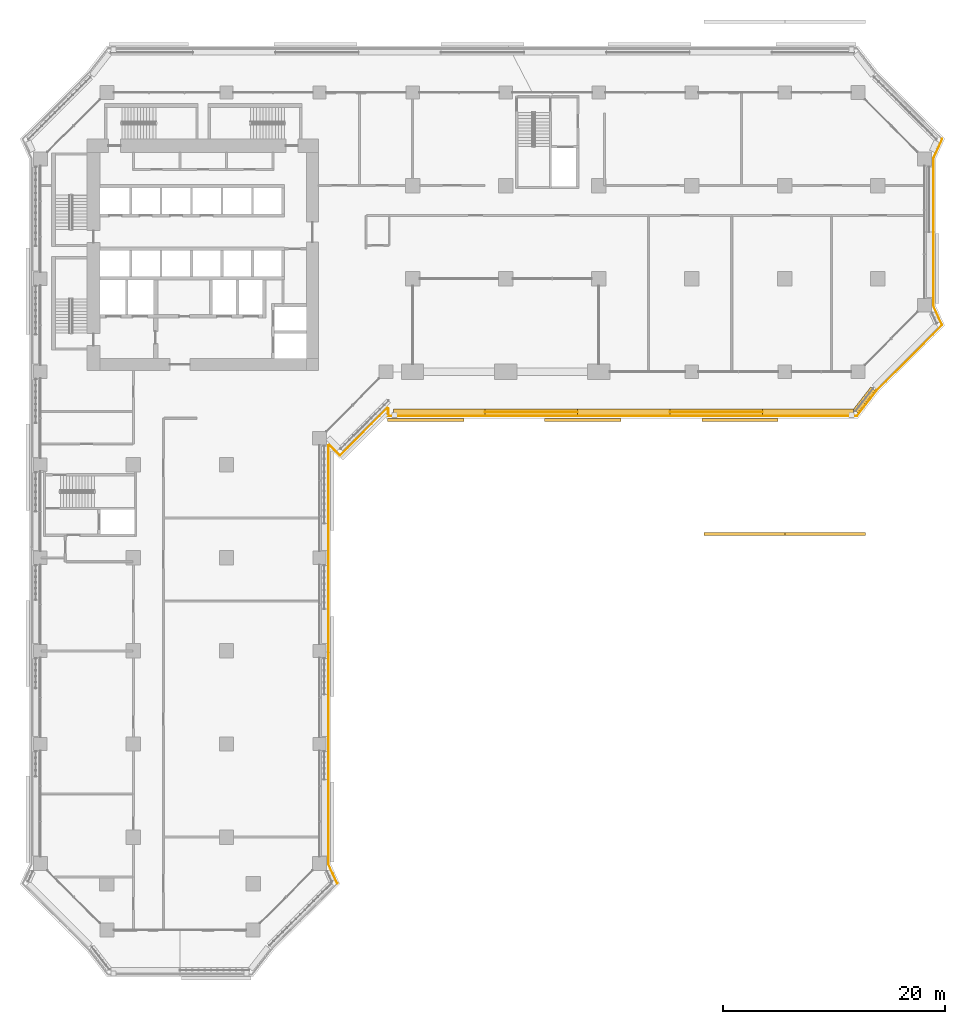
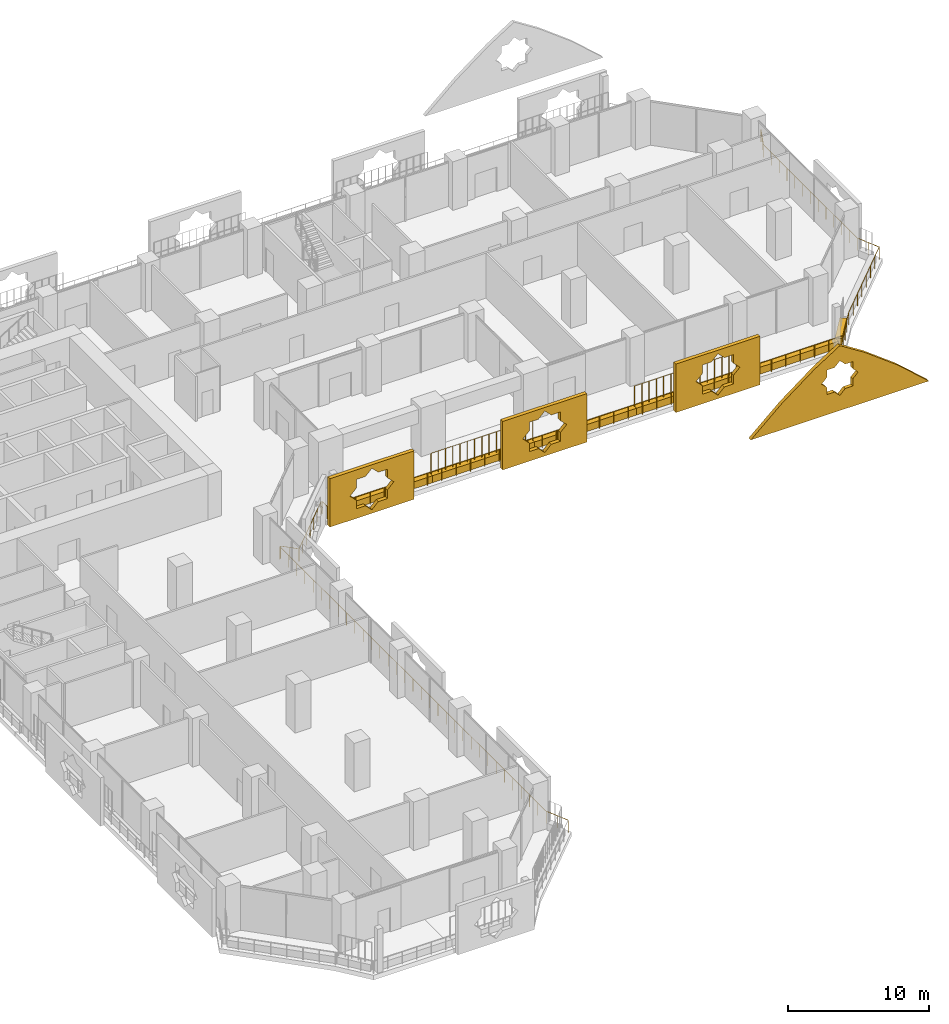
# One storey, part 23 of 27: 10 coverings, 3 railings.
"""IFC4 building model written with IfcOpenShell, lengths in metres."""

from ifc_helpers import new_model, si_unit, direction, frame, origin, origin_2d, place, context, subcontext, project, spatial, polyline, rectangle, circle, outline, extrude, material, layer, layer_set, material_profile, profile_set, type_object, element, save


model = new_model("IFC4")

# Units and contexts
model_context = context("Model", 3, precision=1e-05, world=origin(), true_north=direction((0.0, 1.0)))
body_context = subcontext(model_context, "Body", "Model", "MODEL_VIEW")
ifc_project = project(units=[si_unit("LENGTHUNIT", "METRE"), si_unit("AREAUNIT", "SQUARE_METRE"), si_unit("VOLUMEUNIT", "CUBIC_METRE"), si_unit("PLANEANGLEUNIT", "RADIAN"), si_unit("MASSUNIT", "GRAM", prefix="KILO")], contexts=[model_context])

# Site, building, storey
site_placement = place(None, origin())
site = spatial("IfcSite", under=ifc_project, at=site_placement, CompositionType="ELEMENT")
building_placement = place(site_placement, origin())
building = spatial("IfcBuilding", under=site, at=building_placement, Name="Kawkab Arch Medical Tower", CompositionType="ELEMENT")
storey_placement = place(building_placement, frame((0.0, 0.0, 39.199951171875)))
storey = spatial("IfcBuildingStorey", under=building, at=storey_placement, Name="L08", CompositionType="ELEMENT", Elevation=39.199951171875)

# Railing
ifc_material_1 = material(Name="Bronze anodised aluminium guard", Category="aluminium")
railing_type_1 = type_object("IfcRailingType", Name="Loggia and terrace guard 1100", PredefinedType="GUARDRAIL", material=ifc_material_1)
railing_1_placement = place(storey_placement, frame((81.39794921875, -4.205078125, 0.0)))
element("IfcRailing", 1, at=railing_1_placement, inside=storey, type_object=railing_type_1, Name="Guard L08.LOG-01.1.2", PredefinedType="GUARDRAIL", context=body_context, shape_type="SweptSolid", body=[
    extrude(circle(Radius=0.02392578125, at=origin_2d()), frame((0.0, 0.0, 1.076171875), z_axis=(-0.414452581809, -0.910070907914, 0.0), x_axis=(0.910070907914, -0.414452581809, 0.0)), (0.0, 0.0, 1.0), 1.925048828125),
    extrude(circle(Radius=0.02392578125, at=origin_2d()), frame((-0.7978515625, -1.751953125, 1.076171875), z_axis=(0.0, -1.0, 0.0), x_axis=(1.0, 0.0, 0.0)), (0.0, 0.0, 1.0), 13.285888671875),
    extrude(circle(Radius=0.02392578125, at=origin_2d()), frame((-0.7978515625, -15.037841796875, 1.076171875), z_axis=(0.414404752076, -0.910092688388, 0.0), x_axis=(0.910092688388, 0.414404752076, 0.0)), (0.0, 0.0, 1.0), 1.92529296875),
    extrude(circle(Radius=0.02392578125, at=origin_2d()), frame((0.0, -16.7900390625, 1.076171875), z_axis=(-0.707106781187, -0.707106781187, 0.0), x_axis=(0.707106781187, -0.707106781187, 0.0)), (0.0, 0.0, 1.0), 8.35791015625),
    extrude(circle(Radius=0.02392578125, at=origin_2d()), frame((-5.909912109375, -22.699951171875, 1.076171875), z_axis=(-0.614196313452, -0.789153273162, 0.0), x_axis=(0.789153273162, -0.614196313452, 0.0)), (0.0, 0.0, 1.0), 2.908203125),
    extrude(circle(Radius=0.02392578125, at=origin_2d()), frame((-7.696044921875, -24.994873046875, 1.076171875), z_axis=(-1.0, 0.0, 0.0), x_axis=(0.0, -1.0, 0.0)), (0.0, 0.0, 1.0), 42.302001953125),
    extrude(circle(Radius=0.02392578125, at=origin_2d()), frame((-49.998046875, -24.994873046875, 1.076171875), z_axis=(0.0, 1.0, 0.0), x_axis=(-1.0, 0.0, 0.0)), (0.0, 0.0, 1.0), 0.6728515625),
    extrude(circle(Radius=0.02392578125, at=origin_2d()), frame((-49.998046875, -24.322021484375, 1.076171875), z_axis=(-0.923431341387, 0.383763674343, 0.0), x_axis=(-0.383763674343, -0.923431341387, 0.0)), (0.0, 0.0, 1.0), 0.101806640625),
    extrude(circle(Radius=0.02392578125, at=origin_2d()), frame((-50.092041015625, -24.282958984375, 1.076171875), z_axis=(-0.707187685852, -0.707025867263, 0.0), x_axis=(0.707025867263, -0.707187685852, 0.0)), (0.0, 0.0, 1.0), 6.034912109375),
    extrude(circle(Radius=0.02392578125, at=origin_2d()), frame((-54.35986328125, -28.5498046875, 1.076171875), z_axis=(-0.707198215437, 0.707015335112, 0.0), x_axis=(-0.707015335112, -0.707198215437, 0.0)), (0.0, 0.0, 1.0), 1.3349609375),
    extrude(circle(Radius=0.02392578125, at=origin_2d()), frame((-55.303955078125, -27.60595703125, 1.076171875), z_axis=(-0.923431341387, -0.383763674343, 0.0), x_axis=(0.383763674343, -0.923431341387, 0.0)), (0.0, 0.0, 1.0), 0.101806640625),
    extrude(circle(Radius=0.02392578125, at=origin_2d()), frame((-55.39794921875, -27.64501953125, 1.076171875), z_axis=(0.0, -1.0, 0.0), x_axis=(1.0, 0.0, 0.0)), (0.0, 0.0, 1.0), 37.79296875),
    extrude(circle(Radius=0.02392578125, at=origin_2d()), frame((-55.39794921875, -65.43798828125, 1.076171875), z_axis=(0.414557610759, -0.910023069687, 0.0), x_axis=(0.910023069687, 0.414557610759, 0.0)), (0.0, 0.0, 1.0), 1.92529296875),
    extrude(circle(Radius=0.02099609375, at=origin_2d()), origin(), (0.0, 0.0, 1.0), 1.052001953125),
    extrude(circle(Radius=0.02099609375, at=origin_2d()), frame((-0.39892578125, -0.8759765625, 0.0)), (0.0, 0.0, 1.0), 1.052001953125),
    extrude(circle(Radius=0.02099609375, at=origin_2d()), frame((-0.7978515625, -1.751953125, 0.0)), (0.0, 0.0, 1.0), 1.052001953125),
    extrude(circle(Radius=0.02099609375, at=origin_2d()), frame((-0.7978515625, -2.859130859375, 0.0)), (0.0, 0.0, 1.0), 1.052001953125),
    extrude(circle(Radius=0.02099609375, at=origin_2d()), frame((-0.7978515625, -3.96630859375, 0.0)), (0.0, 0.0, 1.0), 1.052001953125),
    extrude(circle(Radius=0.02099609375, at=origin_2d()), frame((-0.7978515625, -5.073486328125, 0.0)), (0.0, 0.0, 1.0), 1.052001953125),
    extrude(circle(Radius=0.02099609375, at=origin_2d()), frame((-0.7978515625, -6.1806640625, 0.0)), (0.0, 0.0, 1.0), 1.052001953125),
    extrude(circle(Radius=0.02099609375, at=origin_2d()), frame((-0.7978515625, -7.287841796875, 0.0)), (0.0, 0.0, 1.0), 1.052001953125),
    extrude(circle(Radius=0.02099609375, at=origin_2d()), frame((-0.7978515625, -8.39501953125, 0.0)), (0.0, 0.0, 1.0), 1.052001953125),
    extrude(circle(Radius=0.02099609375, at=origin_2d()), frame((-0.7978515625, -9.501953125, 0.0)), (0.0, 0.0, 1.0), 1.052001953125),
    extrude(circle(Radius=0.02099609375, at=origin_2d()), frame((-0.7978515625, -10.609130859375, 0.0)), (0.0, 0.0, 1.0), 1.052001953125),
    extrude(circle(Radius=0.02099609375, at=origin_2d()), frame((-0.7978515625, -11.71630859375, 0.0)), (0.0, 0.0, 1.0), 1.052001953125),
    extrude(circle(Radius=0.02099609375, at=origin_2d()), frame((-0.7978515625, -12.823486328125, 0.0)), (0.0, 0.0, 1.0), 1.052001953125),
    extrude(circle(Radius=0.02099609375, at=origin_2d()), frame((-0.7978515625, -13.9306640625, 0.0)), (0.0, 0.0, 1.0), 1.052001953125),
    extrude(circle(Radius=0.02099609375, at=origin_2d()), frame((-0.7978515625, -15.037841796875, 0.0)), (0.0, 0.0, 1.0), 1.052001953125),
    extrude(circle(Radius=0.02099609375, at=origin_2d()), frame((-0.39892578125, -15.9140625, 0.0)), (0.0, 0.0, 1.0), 1.052001953125),
    extrude(circle(Radius=0.02099609375, at=origin_2d()), frame((0.0, -16.7900390625, 0.0)), (0.0, 0.0, 1.0), 1.052001953125),
    extrude(circle(Radius=0.02099609375, at=origin_2d()), frame((-0.84423828125, -17.63427734375, 0.0)), (0.0, 0.0, 1.0), 1.052001953125),
    extrude(circle(Radius=0.02099609375, at=origin_2d()), frame((-1.6884765625, -18.478515625, 0.0)), (0.0, 0.0, 1.0), 1.052001953125),
    extrude(circle(Radius=0.02099609375, at=origin_2d()), frame((-2.53271484375, -19.32275390625, 0.0)), (0.0, 0.0, 1.0), 1.052001953125),
    extrude(circle(Radius=0.02099609375, at=origin_2d()), frame((-3.377197265625, -20.167236328125, 0.0)), (0.0, 0.0, 1.0), 1.052001953125),
    extrude(circle(Radius=0.02099609375, at=origin_2d()), frame((-4.221435546875, -21.011474609375, 0.0)), (0.0, 0.0, 1.0), 1.052001953125),
    extrude(circle(Radius=0.02099609375, at=origin_2d()), frame((-5.065673828125, -21.855712890625, 0.0)), (0.0, 0.0, 1.0), 1.052001953125),
    extrude(circle(Radius=0.02099609375, at=origin_2d()), frame((-5.909912109375, -22.699951171875, 0.0)), (0.0, 0.0, 1.0), 1.052001953125),
    extrude(circle(Radius=0.02099609375, at=origin_2d()), frame((-6.50537109375, -23.46484375, 0.0)), (0.0, 0.0, 1.0), 1.052001953125),
    extrude(circle(Radius=0.02099609375, at=origin_2d()), frame((-7.1005859375, -24.22998046875, 0.0)), (0.0, 0.0, 1.0), 1.052001953125),
    extrude(circle(Radius=0.02099609375, at=origin_2d()), frame((-7.696044921875, -24.994873046875, 0.0)), (0.0, 0.0, 1.0), 1.052001953125),
    extrude(circle(Radius=0.02099609375, at=origin_2d()), frame((-8.87109375, -24.994873046875, 0.0)), (0.0, 0.0, 1.0), 1.052001953125),
    extrude(circle(Radius=0.02099609375, at=origin_2d()), frame((-10.046142578125, -24.994873046875, 0.0)), (0.0, 0.0, 1.0), 1.052001953125),
    extrude(circle(Radius=0.02099609375, at=origin_2d()), frame((-11.22119140625, -24.994873046875, 0.0)), (0.0, 0.0, 1.0), 1.052001953125),
    extrude(circle(Radius=0.02099609375, at=origin_2d()), frame((-12.396240234375, -24.994873046875, 0.0)), (0.0, 0.0, 1.0), 1.052001953125),
    extrude(circle(Radius=0.02099609375, at=origin_2d()), frame((-13.5712890625, -24.994873046875, 0.0)), (0.0, 0.0, 1.0), 1.052001953125),
    extrude(circle(Radius=0.02099609375, at=origin_2d()), frame((-14.746337890625, -24.994873046875, 0.0)), (0.0, 0.0, 1.0), 1.052001953125),
    extrude(circle(Radius=0.02099609375, at=origin_2d()), frame((-15.92138671875, -24.994873046875, 0.0)), (0.0, 0.0, 1.0), 1.052001953125),
    extrude(circle(Radius=0.02099609375, at=origin_2d()), frame((-17.096435546875, -24.994873046875, 0.0)), (0.0, 0.0, 1.0), 1.052001953125),
    extrude(circle(Radius=0.02099609375, at=origin_2d()), frame((-18.271484375, -24.994873046875, 0.0)), (0.0, 0.0, 1.0), 1.052001953125),
    extrude(circle(Radius=0.02099609375, at=origin_2d()), frame((-19.446533203125, -24.994873046875, 0.0)), (0.0, 0.0, 1.0), 1.052001953125),
    extrude(circle(Radius=0.02099609375, at=origin_2d()), frame((-20.62158203125, -24.994873046875, 0.0)), (0.0, 0.0, 1.0), 1.052001953125),
    extrude(circle(Radius=0.02099609375, at=origin_2d()), frame((-21.796630859375, -24.994873046875, 0.0)), (0.0, 0.0, 1.0), 1.052001953125),
    extrude(circle(Radius=0.02099609375, at=origin_2d()), frame((-22.9716796875, -24.994873046875, 0.0)), (0.0, 0.0, 1.0), 1.052001953125),
    extrude(circle(Radius=0.02099609375, at=origin_2d()), frame((-24.146728515625, -24.994873046875, 0.0)), (0.0, 0.0, 1.0), 1.052001953125),
    extrude(circle(Radius=0.02099609375, at=origin_2d()), frame((-25.32177734375, -24.994873046875, 0.0)), (0.0, 0.0, 1.0), 1.052001953125),
    extrude(circle(Radius=0.02099609375, at=origin_2d()), frame((-26.496826171875, -24.994873046875, 0.0)), (0.0, 0.0, 1.0), 1.052001953125),
    extrude(circle(Radius=0.02099609375, at=origin_2d()), frame((-27.671875, -24.994873046875, 0.0)), (0.0, 0.0, 1.0), 1.052001953125),
    extrude(circle(Radius=0.02099609375, at=origin_2d()), frame((-28.84716796875, -24.994873046875, 0.0)), (0.0, 0.0, 1.0), 1.052001953125),
    extrude(circle(Radius=0.02099609375, at=origin_2d()), frame((-30.022216796875, -24.994873046875, 0.0)), (0.0, 0.0, 1.0), 1.052001953125),
    extrude(circle(Radius=0.02099609375, at=origin_2d()), frame((-31.197265625, -24.994873046875, 0.0)), (0.0, 0.0, 1.0), 1.052001953125),
    extrude(circle(Radius=0.02099609375, at=origin_2d()), frame((-32.372314453125, -24.994873046875, 0.0)), (0.0, 0.0, 1.0), 1.052001953125),
    extrude(circle(Radius=0.02099609375, at=origin_2d()), frame((-33.54736328125, -24.994873046875, 0.0)), (0.0, 0.0, 1.0), 1.052001953125),
    extrude(circle(Radius=0.02099609375, at=origin_2d()), frame((-34.722412109375, -24.994873046875, 0.0)), (0.0, 0.0, 1.0), 1.052001953125),
    extrude(circle(Radius=0.02099609375, at=origin_2d()), frame((-35.8974609375, -24.994873046875, 0.0)), (0.0, 0.0, 1.0), 1.052001953125),
    extrude(circle(Radius=0.02099609375, at=origin_2d()), frame((-37.072509765625, -24.994873046875, 0.0)), (0.0, 0.0, 1.0), 1.052001953125),
    extrude(circle(Radius=0.02099609375, at=origin_2d()), frame((-38.24755859375, -24.994873046875, 0.0)), (0.0, 0.0, 1.0), 1.052001953125),
    extrude(circle(Radius=0.02099609375, at=origin_2d()), frame((-39.422607421875, -24.994873046875, 0.0)), (0.0, 0.0, 1.0), 1.052001953125),
    extrude(circle(Radius=0.02099609375, at=origin_2d()), frame((-40.59765625, -24.994873046875, 0.0)), (0.0, 0.0, 1.0), 1.052001953125),
    extrude(circle(Radius=0.02099609375, at=origin_2d()), frame((-41.772705078125, -24.994873046875, 0.0)), (0.0, 0.0, 1.0), 1.052001953125),
    extrude(circle(Radius=0.02099609375, at=origin_2d()), frame((-42.94775390625, -24.994873046875, 0.0)), (0.0, 0.0, 1.0), 1.052001953125),
    extrude(circle(Radius=0.02099609375, at=origin_2d()), frame((-44.122802734375, -24.994873046875, 0.0)), (0.0, 0.0, 1.0), 1.052001953125),
    extrude(circle(Radius=0.02099609375, at=origin_2d()), frame((-45.2978515625, -24.994873046875, 0.0)), (0.0, 0.0, 1.0), 1.052001953125),
    extrude(circle(Radius=0.02099609375, at=origin_2d()), frame((-46.472900390625, -24.994873046875, 0.0)), (0.0, 0.0, 1.0), 1.052001953125),
    extrude(circle(Radius=0.02099609375, at=origin_2d()), frame((-47.64794921875, -24.994873046875, 0.0)), (0.0, 0.0, 1.0), 1.052001953125),
    extrude(circle(Radius=0.02099609375, at=origin_2d()), frame((-48.822998046875, -24.994873046875, 0.0)), (0.0, 0.0, 1.0), 1.052001953125),
    extrude(circle(Radius=0.02099609375, at=origin_2d()), frame((-49.998046875, -24.994873046875, 0.0)), (0.0, 0.0, 1.0), 1.052001953125),
    extrude(circle(Radius=0.02099609375, at=origin_2d()), frame((-49.998046875, -24.322021484375, 0.0)), (0.0, 0.0, 1.0), 1.052001953125),
    extrude(circle(Radius=0.02099609375, at=origin_2d()), frame((-50.092041015625, -24.282958984375, 0.0)), (0.0, 0.0, 1.0), 1.052001953125),
    extrude(circle(Radius=0.02099609375, at=origin_2d()), frame((-50.80322265625, -24.994140625, 0.0)), (0.0, 0.0, 1.0), 1.052001953125),
    extrude(circle(Radius=0.02099609375, at=origin_2d()), frame((-51.5146484375, -25.705322265625, 0.0)), (0.0, 0.0, 1.0), 1.052001953125),
    extrude(circle(Radius=0.02099609375, at=origin_2d()), frame((-52.22607421875, -26.41650390625, 0.0)), (0.0, 0.0, 1.0), 1.052001953125),
    extrude(circle(Radius=0.02099609375, at=origin_2d()), frame((-52.937255859375, -27.12744140625, 0.0)), (0.0, 0.0, 1.0), 1.052001953125),
    extrude(circle(Radius=0.02099609375, at=origin_2d()), frame((-53.6484375, -27.838623046875, 0.0)), (0.0, 0.0, 1.0), 1.052001953125),
    extrude(circle(Radius=0.02099609375, at=origin_2d()), frame((-54.35986328125, -28.5498046875, 0.0)), (0.0, 0.0, 1.0), 1.052001953125),
    extrude(circle(Radius=0.02099609375, at=origin_2d()), frame((-54.83203125, -28.077880859375, 0.0)), (0.0, 0.0, 1.0), 1.052001953125),
    extrude(circle(Radius=0.02099609375, at=origin_2d()), frame((-55.303955078125, -27.60595703125, 0.0)), (0.0, 0.0, 1.0), 1.052001953125),
    extrude(circle(Radius=0.02099609375, at=origin_2d()), frame((-55.39794921875, -27.64501953125, 0.0)), (0.0, 0.0, 1.0), 1.052001953125),
    extrude(circle(Radius=0.02099609375, at=origin_2d()), frame((-55.39794921875, -28.826171875, 0.0)), (0.0, 0.0, 1.0), 1.052001953125),
    extrude(circle(Radius=0.02099609375, at=origin_2d()), frame((-55.39794921875, -30.007080078125, 0.0)), (0.0, 0.0, 1.0), 1.052001953125),
    extrude(circle(Radius=0.02099609375, at=origin_2d()), frame((-55.39794921875, -31.18798828125, 0.0)), (0.0, 0.0, 1.0), 1.052001953125),
    extrude(circle(Radius=0.02099609375, at=origin_2d()), frame((-55.39794921875, -32.369140625, 0.0)), (0.0, 0.0, 1.0), 1.052001953125),
    extrude(circle(Radius=0.02099609375, at=origin_2d()), frame((-55.39794921875, -33.55029296875, 0.0)), (0.0, 0.0, 1.0), 1.052001953125),
    extrude(circle(Radius=0.02099609375, at=origin_2d()), frame((-55.39794921875, -34.731201171875, 0.0)), (0.0, 0.0, 1.0), 1.052001953125),
    extrude(circle(Radius=0.02099609375, at=origin_2d()), frame((-55.39794921875, -35.912109375, 0.0)), (0.0, 0.0, 1.0), 1.052001953125),
    extrude(circle(Radius=0.02099609375, at=origin_2d()), frame((-55.39794921875, -37.09326171875, 0.0)), (0.0, 0.0, 1.0), 1.052001953125),
    extrude(circle(Radius=0.02099609375, at=origin_2d()), frame((-55.39794921875, -38.2744140625, 0.0)), (0.0, 0.0, 1.0), 1.052001953125),
    extrude(circle(Radius=0.02099609375, at=origin_2d()), frame((-55.39794921875, -39.455322265625, 0.0)), (0.0, 0.0, 1.0), 1.052001953125),
    extrude(circle(Radius=0.02099609375, at=origin_2d()), frame((-55.39794921875, -40.63623046875, 0.0)), (0.0, 0.0, 1.0), 1.052001953125),
    extrude(circle(Radius=0.02099609375, at=origin_2d()), frame((-55.39794921875, -41.8173828125, 0.0)), (0.0, 0.0, 1.0), 1.052001953125),
    extrude(circle(Radius=0.02099609375, at=origin_2d()), frame((-55.39794921875, -42.99853515625, 0.0)), (0.0, 0.0, 1.0), 1.052001953125),
    extrude(circle(Radius=0.02099609375, at=origin_2d()), frame((-55.39794921875, -44.179443359375, 0.0)), (0.0, 0.0, 1.0), 1.052001953125),
    extrude(circle(Radius=0.02099609375, at=origin_2d()), frame((-55.39794921875, -45.3603515625, 0.0)), (0.0, 0.0, 1.0), 1.052001953125),
    extrude(circle(Radius=0.02099609375, at=origin_2d()), frame((-55.39794921875, -46.54150390625, 0.0)), (0.0, 0.0, 1.0), 1.052001953125),
    extrude(circle(Radius=0.02099609375, at=origin_2d()), frame((-55.39794921875, -47.72265625, 0.0)), (0.0, 0.0, 1.0), 1.052001953125),
    extrude(circle(Radius=0.02099609375, at=origin_2d()), frame((-55.39794921875, -48.903564453125, 0.0)), (0.0, 0.0, 1.0), 1.052001953125),
    extrude(circle(Radius=0.02099609375, at=origin_2d()), frame((-55.39794921875, -50.08447265625, 0.0)), (0.0, 0.0, 1.0), 1.052001953125),
    extrude(circle(Radius=0.02099609375, at=origin_2d()), frame((-55.39794921875, -51.265625, 0.0)), (0.0, 0.0, 1.0), 1.052001953125),
    extrude(circle(Radius=0.02099609375, at=origin_2d()), frame((-55.39794921875, -52.44677734375, 0.0)), (0.0, 0.0, 1.0), 1.052001953125),
    extrude(circle(Radius=0.02099609375, at=origin_2d()), frame((-55.39794921875, -53.627685546875, 0.0)), (0.0, 0.0, 1.0), 1.052001953125),
    extrude(circle(Radius=0.02099609375, at=origin_2d()), frame((-55.39794921875, -54.80859375, 0.0)), (0.0, 0.0, 1.0), 1.052001953125),
    extrude(circle(Radius=0.02099609375, at=origin_2d()), frame((-55.39794921875, -55.98974609375, 0.0)), (0.0, 0.0, 1.0), 1.052001953125),
    extrude(circle(Radius=0.02099609375, at=origin_2d()), frame((-55.39794921875, -57.1708984375, 0.0)), (0.0, 0.0, 1.0), 1.052001953125),
    extrude(circle(Radius=0.02099609375, at=origin_2d()), frame((-55.39794921875, -58.351806640625, 0.0)), (0.0, 0.0, 1.0), 1.052001953125),
    extrude(circle(Radius=0.02099609375, at=origin_2d()), frame((-55.39794921875, -59.53271484375, 0.0)), (0.0, 0.0, 1.0), 1.052001953125),
    extrude(circle(Radius=0.02099609375, at=origin_2d()), frame((-55.39794921875, -60.7138671875, 0.0)), (0.0, 0.0, 1.0), 1.052001953125),
    extrude(circle(Radius=0.02099609375, at=origin_2d()), frame((-55.39794921875, -61.89501953125, 0.0)), (0.0, 0.0, 1.0), 1.052001953125),
    extrude(circle(Radius=0.02099609375, at=origin_2d()), frame((-55.39794921875, -63.075927734375, 0.0)), (0.0, 0.0, 1.0), 1.052001953125),
    extrude(circle(Radius=0.02099609375, at=origin_2d()), frame((-55.39794921875, -64.2568359375, 0.0)), (0.0, 0.0, 1.0), 1.052001953125),
    extrude(circle(Radius=0.02099609375, at=origin_2d()), frame((-55.39794921875, -65.43798828125, 0.0)), (0.0, 0.0, 1.0), 1.052001953125),
    extrude(circle(Radius=0.02099609375, at=origin_2d()), frame((-54.9990234375, -66.31396484375, 0.0)), (0.0, 0.0, 1.0), 1.052001953125),
    extrude(circle(Radius=0.02099609375, at=origin_2d()), frame((-54.599853515625, -67.18994140625, 0.0)), (0.0, 0.0, 1.0), 1.052001953125),
])

# Coverings
ifc_material_2 = material(Name="Bronze anodised aluminium mashrabiya panel, eight-point star pattern", Category="aluminium")
ifc_material_profile_1 = material_profile(ifc_material_2, outline(polyline([(-3.449951171875, -2.10009765625), (3.449951171875, -2.10009765625), (3.449951171875, 2.10009765625), (-3.449951171875, 2.10009765625), (-3.449951171875, -2.10009765625)]), holes=[polyline([(1.800048828125, 0.0), (1.272705078125, 0.527099609375), (1.272705078125, 1.272705078125), (0.527099609375, 1.272705078125), (0.0, 1.800048828125), (-0.527099609375, 1.272705078125), (-1.272705078125, 1.272705078125), (-1.272705078125, 0.527099609375), (-1.800048828125, 0.0), (-1.272705078125, -0.527099609375), (-1.272705078125, -1.272705078125), (-0.527099609375, -1.272705078125), (0.0, -1.800048828125), (0.527099609375, -1.272705078125), (1.272705078125, -1.272705078125), (1.272705078125, -0.527099609375), (1.800048828125, 0.0)])]), Name="Mashrabiya panel 6900x4200")
ifc_profile_set_1 = profile_set([ifc_material_profile_1], Name="Bronze anodised aluminium mashrabiya panel, eight-point star pattern")
covering_type_1 = type_object("IfcCoveringType", Name="Mashrabiya panel 6900 x 4200", PredefinedType="USERDEFINED", material=ifc_profile_set_1)
for number, where, z_axis, x_axis, name in (
    (2, (63.148681640625, -29.39990234375, 1.699951171875), (0.0, -1.0, 0.0), (1.0, 0.0, 0.0), "Mashrabiya panel L08.LOG-01-01.12"),
    (3, (48.953857421875, -29.39990234375, 1.699951171875), (0.0, -1.0, 0.0), (1.0, 0.0, 0.0), "Mashrabiya panel L08.LOG-01-01.13"),
    (4, (34.77880859375, -29.39990234375, 1.699951171875), (0.0, -1.0, 0.0), (1.0, 0.0, 0.0), "Mashrabiya panel L08.LOG-01-01.14"),
):
    element("IfcCovering", number, at=place(storey_placement, frame(where, z_axis=z_axis, x_axis=x_axis)), inside=storey, type_object=covering_type_1, Name=name, ObjectType="SCREEN", PredefinedType="USERDEFINED", context=body_context, shape_type="SweptSolid", body=[
        extrude(outline(polyline([(-3.449951171875, -2.10009765625), (3.449951171875, -2.10009765625), (3.449951171875, 2.10009765625), (-3.449951171875, 2.10009765625), (-3.449951171875, -2.10009765625)]), holes=[polyline([(1.800048828125, 0.0), (1.272705078125, 0.527099609375), (1.272705078125, 1.272705078125), (0.527099609375, 1.272705078125), (0.0, 1.800048828125), (-0.527099609375, 1.272705078125), (-1.272705078125, 1.272705078125), (-1.272705078125, 0.527099609375), (-1.800048828125, 0.0), (-1.272705078125, -0.527099609375), (-1.272705078125, -1.272705078125), (-0.527099609375, -1.272705078125), (0.0, -1.800048828125), (0.527099609375, -1.272705078125), (1.272705078125, -1.272705078125), (1.272705078125, -0.527099609375), (1.800048828125, 0.0)])]), origin(), (0.0, 0.0, 1.0), 0.300048828125),
    ])
ifc_material_3 = material(Name="Planting soil in a precast trough", Category="concrete")
ifc_material_profile_2 = material_profile(ifc_material_3, rectangle(XDim=0.5, YDim=0.60009765625, at=origin_2d()), Name="Trough 500x600")
ifc_profile_set_2 = profile_set([ifc_material_profile_2], Name="Planting soil in a precast trough")
covering_type_2 = type_object("IfcCoveringType", Name="Planter trough 500 x 600", PredefinedType="USERDEFINED", material=ifc_profile_set_2)
covering_1_placement = place(storey_placement, frame((75.14111328125, -26.73193359375, 0.300048828125), z_axis=(-0.614099956103, -0.789228258436, 0.0), x_axis=(0.789228258436, -0.614099956103, 0.0)))
element("IfcCovering", 5, at=covering_1_placement, inside=storey, type_object=covering_type_2, Name="Planter L08.LOG-01-01.41", ObjectType="PLANTER", PredefinedType="USERDEFINED", context=body_context, shape_type="SweptSolid", body=[
    extrude(rectangle(XDim=0.5, YDim=0.60009765625, at=origin_2d()), origin(), (0.0, 0.0, 1.0), 2.545654296875),
])
covering_2_placement = place(storey_placement, frame((73.416015625, -28.820068359375, 0.300048828125), z_axis=(-1.0, 0.0, 0.0), x_axis=(0.0, -1.0, 0.0)))
element("IfcCovering", 6, at=covering_2_placement, inside=storey, type_object=covering_type_2, Name="Planter L08.LOG-01-01.42", ObjectType="PLANTER", PredefinedType="USERDEFINED", context=body_context, shape_type="SweptSolid", body=[
    extrude(rectangle(XDim=0.5, YDim=0.60009765625, at=origin_2d()), origin(), (0.0, 0.0, 1.0), 8.2470703125),
])
for number, where, z_axis, x_axis, name in (
    (7, (65.1689453125, -28.820068359375, 0.300048828125), (-1.0, 0.0, 0.0), (0.0, -1.0, 0.0), "Planter L08.LOG-01-01.43"),
    (8, (56.822021484375, -28.820068359375, 0.300048828125), (-1.0, 0.0, 0.0), (0.0, -1.0, 0.0), "Planter L08.LOG-01-01.44"),
):
    element("IfcCovering", number, at=place(storey_placement, frame(where, z_axis=z_axis, x_axis=x_axis)), inside=storey, type_object=covering_type_2, Name=name, ObjectType="PLANTER", PredefinedType="USERDEFINED", context=body_context, shape_type="SweptSolid", body=[
        extrude(rectangle(XDim=0.5, YDim=0.60009765625, at=origin_2d()), origin(), (0.0, 0.0, 1.0), 8.346923828125),
    ])
covering_3_placement = place(storey_placement, frame((48.47509765625, -28.820068359375, 0.300048828125), z_axis=(-1.0, 0.0, 0.0), x_axis=(0.0, -1.0, 0.0)))
element("IfcCovering", 9, at=covering_3_placement, inside=storey, type_object=covering_type_2, Name="Planter L08.LOG-01-01.45", ObjectType="PLANTER", PredefinedType="USERDEFINED", context=body_context, shape_type="SweptSolid", body=[
    extrude(rectangle(XDim=0.5, YDim=0.60009765625, at=origin_2d()), origin(), (0.0, 0.0, 1.0), 8.34814453125),
])
covering_4_placement = place(storey_placement, frame((40.126953125, -28.820068359375, 0.300048828125), z_axis=(-1.0, 0.0, 0.0), x_axis=(0.0, -1.0, 0.0)))
element("IfcCovering", 10, at=covering_4_placement, inside=storey, type_object=covering_type_2, Name="Planter L08.LOG-01-01.46", ObjectType="PLANTER", PredefinedType="USERDEFINED", context=body_context, shape_type="SweptSolid", body=[
    extrude(rectangle(XDim=0.5, YDim=0.60009765625, at=origin_2d()), origin(), (0.0, 0.0, 1.0), 8.2470703125),
])

# Railings
ifc_material_4 = material(Name="Bronze anodised aluminium trellis for climbing plants", Category="aluminium")
railing_type_2 = type_object("IfcRailingType", Name="Planting trellis 2400", PredefinedType="USERDEFINED", material=ifc_material_4)
railing_2_placement = place(storey_placement, frame((65.1689453125, -28.820068359375, 0.0)))
element("IfcRailing", 11, at=railing_2_placement, inside=storey, type_object=railing_type_2, Name="Planting trellis L08.LOG-01-01.43", ObjectType="TRELLIS", PredefinedType="USERDEFINED", context=body_context, shape_type="SweptSolid", body=[
    extrude(circle(Radius=0.01513671875, at=origin_2d()), frame((0.0, 0.0, 2.384765625), z_axis=(-1.0, 0.0, 0.0), x_axis=(0.0, -1.0, 0.0)), (0.0, 0.0, 1.0), 8.346923828125),
    extrude(circle(Radius=0.030029296875, at=origin_2d()), origin(), (0.0, 0.0, 1.0), 2.369873046875),
    extrude(circle(Radius=0.030029296875, at=origin_2d()), frame((-0.59619140625, 0.0, 0.0)), (0.0, 0.0, 1.0), 2.369873046875),
    extrude(circle(Radius=0.030029296875, at=origin_2d()), frame((-1.1923828125, 0.0, 0.0)), (0.0, 0.0, 1.0), 2.369873046875),
    extrude(circle(Radius=0.030029296875, at=origin_2d()), frame((-1.78857421875, 0.0, 0.0)), (0.0, 0.0, 1.0), 2.369873046875),
    extrude(circle(Radius=0.030029296875, at=origin_2d()), frame((-2.384765625, 0.0, 0.0)), (0.0, 0.0, 1.0), 2.369873046875),
    extrude(circle(Radius=0.030029296875, at=origin_2d()), frame((-2.98095703125, 0.0, 0.0)), (0.0, 0.0, 1.0), 2.369873046875),
    extrude(circle(Radius=0.030029296875, at=origin_2d()), frame((-3.5771484375, 0.0, 0.0)), (0.0, 0.0, 1.0), 2.369873046875),
    extrude(circle(Radius=0.030029296875, at=origin_2d()), frame((-4.17333984375, 0.0, 0.0)), (0.0, 0.0, 1.0), 2.369873046875),
    extrude(circle(Radius=0.030029296875, at=origin_2d()), frame((-4.769775390625, 0.0, 0.0)), (0.0, 0.0, 1.0), 2.369873046875),
    extrude(circle(Radius=0.030029296875, at=origin_2d()), frame((-5.365966796875, 0.0, 0.0)), (0.0, 0.0, 1.0), 2.369873046875),
    extrude(circle(Radius=0.030029296875, at=origin_2d()), frame((-5.962158203125, 0.0, 0.0)), (0.0, 0.0, 1.0), 2.369873046875),
    extrude(circle(Radius=0.030029296875, at=origin_2d()), frame((-6.558349609375, 0.0, 0.0)), (0.0, 0.0, 1.0), 2.369873046875),
    extrude(circle(Radius=0.030029296875, at=origin_2d()), frame((-7.154541015625, 0.0, 0.0)), (0.0, 0.0, 1.0), 2.369873046875),
    extrude(circle(Radius=0.030029296875, at=origin_2d()), frame((-7.750732421875, 0.0, 0.0)), (0.0, 0.0, 1.0), 2.369873046875),
    extrude(circle(Radius=0.030029296875, at=origin_2d()), frame((-8.346923828125, 0.0, 0.0)), (0.0, 0.0, 1.0), 2.369873046875),
])
railing_3_placement = place(storey_placement, frame((48.47509765625, -28.820068359375, 0.0)))
element("IfcRailing", 12, at=railing_3_placement, inside=storey, type_object=railing_type_2, Name="Planting trellis L08.LOG-01-01.45", ObjectType="TRELLIS", PredefinedType="USERDEFINED", context=body_context, shape_type="SweptSolid", body=[
    extrude(circle(Radius=0.01513671875, at=origin_2d()), frame((0.0, 0.0, 2.384765625), z_axis=(-1.0, 0.0, 0.0), x_axis=(0.0, -1.0, 0.0)), (0.0, 0.0, 1.0), 8.34814453125),
    extrude(circle(Radius=0.030029296875, at=origin_2d()), origin(), (0.0, 0.0, 1.0), 2.369873046875),
    extrude(circle(Radius=0.030029296875, at=origin_2d()), frame((-0.59619140625, 0.0, 0.0)), (0.0, 0.0, 1.0), 2.369873046875),
    extrude(circle(Radius=0.030029296875, at=origin_2d()), frame((-1.192626953125, 0.0, 0.0)), (0.0, 0.0, 1.0), 2.369873046875),
    extrude(circle(Radius=0.030029296875, at=origin_2d()), frame((-1.788818359375, 0.0, 0.0)), (0.0, 0.0, 1.0), 2.369873046875),
    extrude(circle(Radius=0.030029296875, at=origin_2d()), frame((-2.38525390625, 0.0, 0.0)), (0.0, 0.0, 1.0), 2.369873046875),
    extrude(circle(Radius=0.030029296875, at=origin_2d()), frame((-2.9814453125, 0.0, 0.0)), (0.0, 0.0, 1.0), 2.369873046875),
    extrude(circle(Radius=0.030029296875, at=origin_2d()), frame((-3.577880859375, 0.0, 0.0)), (0.0, 0.0, 1.0), 2.369873046875),
    extrude(circle(Radius=0.030029296875, at=origin_2d()), frame((-4.174072265625, 0.0, 0.0)), (0.0, 0.0, 1.0), 2.369873046875),
    extrude(circle(Radius=0.030029296875, at=origin_2d()), frame((-4.770263671875, 0.0, 0.0)), (0.0, 0.0, 1.0), 2.369873046875),
    extrude(circle(Radius=0.030029296875, at=origin_2d()), frame((-5.36669921875, 0.0, 0.0)), (0.0, 0.0, 1.0), 2.369873046875),
    extrude(circle(Radius=0.030029296875, at=origin_2d()), frame((-5.962890625, 0.0, 0.0)), (0.0, 0.0, 1.0), 2.369873046875),
    extrude(circle(Radius=0.030029296875, at=origin_2d()), frame((-6.559326171875, 0.0, 0.0)), (0.0, 0.0, 1.0), 2.369873046875),
    extrude(circle(Radius=0.030029296875, at=origin_2d()), frame((-7.155517578125, 0.0, 0.0)), (0.0, 0.0, 1.0), 2.369873046875),
    extrude(circle(Radius=0.030029296875, at=origin_2d()), frame((-7.751953125, 0.0, 0.0)), (0.0, 0.0, 1.0), 2.369873046875),
    extrude(circle(Radius=0.030029296875, at=origin_2d()), frame((-8.34814453125, 0.0, 0.0)), (0.0, 0.0, 1.0), 2.369873046875),
])

# Covering
ifc_material_5 = material(Name="Perforated bronze anodised aluminium, eight-point star pattern", Category="aluminium")
ifc_layer = layer(ifc_material_5, 0.300048828125)
ifc_layer_set = layer_set([ifc_layer], Name="Perforated bronze anodised aluminium, eight-point star pattern")
covering_type_3 = type_object("IfcCoveringType", Name="Spandrel star screen 300", PredefinedType="USERDEFINED", material=ifc_layer_set)
covering_5_placement = place(storey_placement, frame((0.0, -39.699951171875, -39.199951171875), z_axis=(0.0, -1.0, 0.0), x_axis=(1.0, 0.0, 0.0)))
element("IfcCovering", 13, at=covering_5_placement, inside=storey, type_object=covering_type_3, Name="Spandrel screen S 7.1", ObjectType="SCREEN", PredefinedType="USERDEFINED", context=body_context, shape_type="SweptSolid", body=[
    extrude(outline(polyline([(59.90673828125, 42.60009765625), (74.4931640625, 42.60009765625), (74.447998046875, 42.647216796875), (71.94482421875, 44.878173828125), (69.27197265625, 46.900390625), (67.199951171875, 48.22119140625), (65.1279296875, 46.900390625), (62.455078125, 44.878173828125), (59.951904296875, 42.647216796875), (59.90673828125, 42.60009765625)]), holes=[polyline([(68.699951171875, 45.41064453125), (68.2607421875, 45.849853515625), (68.2607421875, 46.47119140625), (67.639404296875, 46.47119140625), (67.199951171875, 46.91064453125), (66.7607421875, 46.47119140625), (66.139404296875, 46.47119140625), (66.139404296875, 45.849853515625), (65.699951171875, 45.41064453125), (66.139404296875, 44.97119140625), (66.139404296875, 44.349853515625), (66.7607421875, 44.349853515625), (67.199951171875, 43.91064453125), (67.639404296875, 44.349853515625), (68.2607421875, 44.349853515625), (68.2607421875, 44.97119140625), (68.699951171875, 45.41064453125)])]), origin(), (0.0, 0.0, 1.0), 0.300048828125),
])

save(model, "model.ifc")
